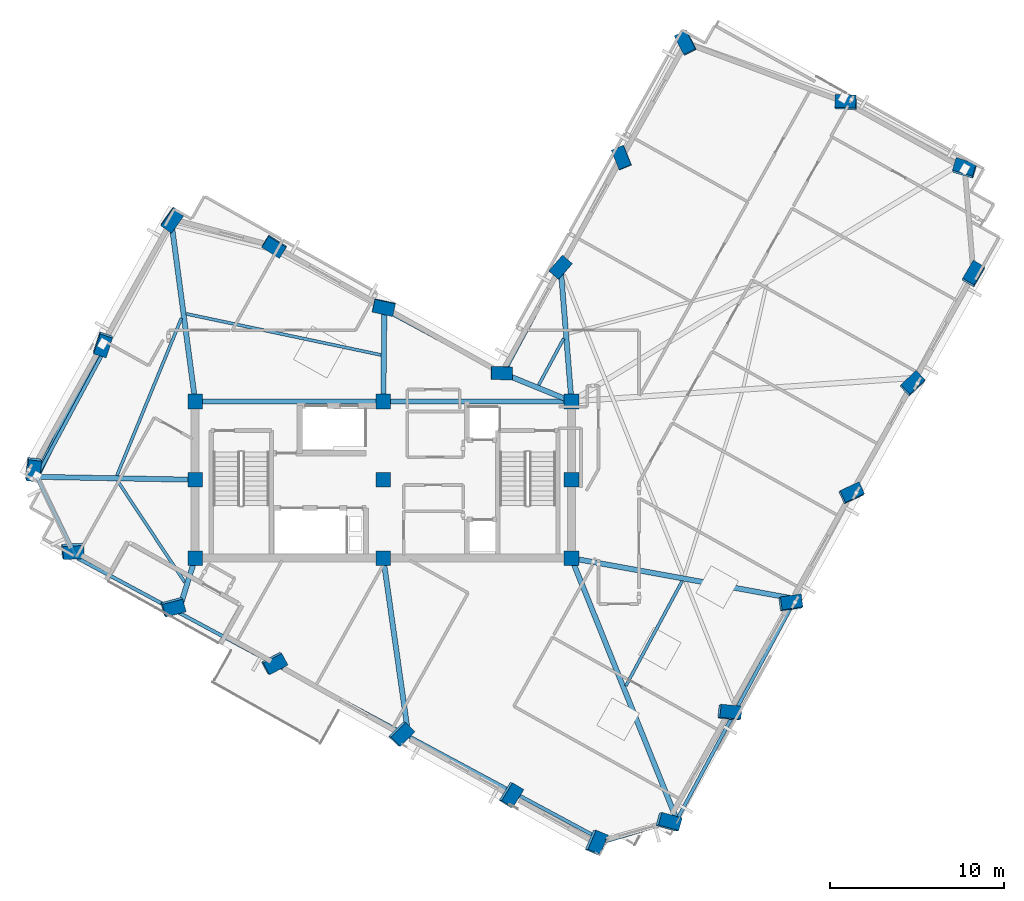
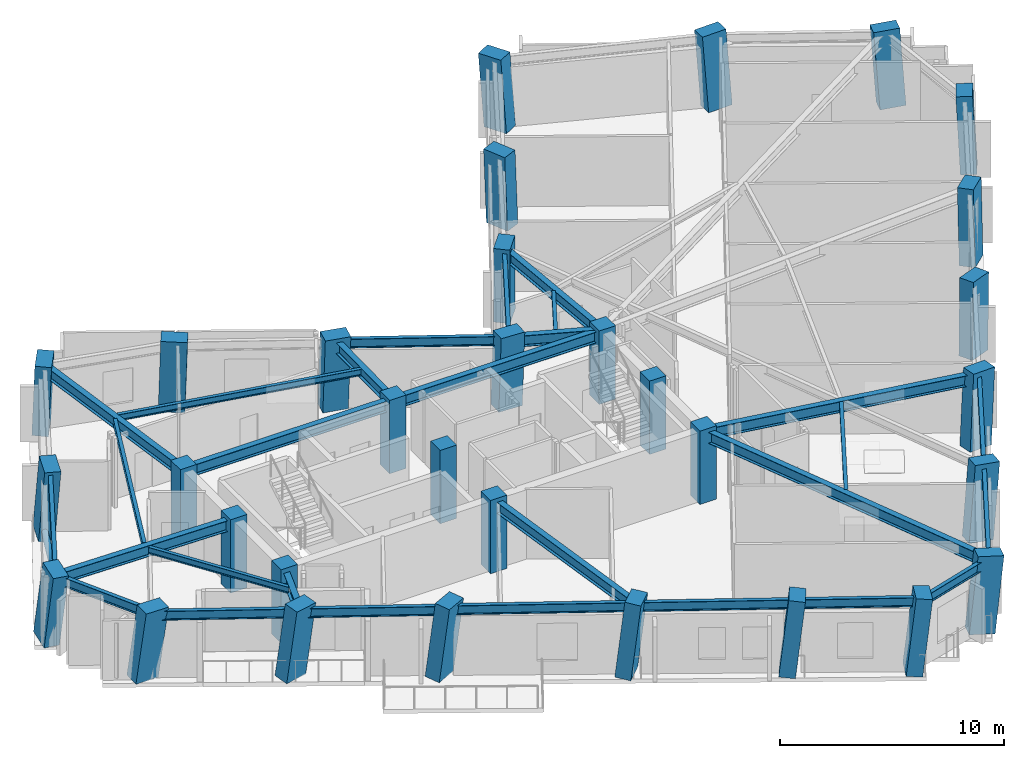
# One storey, part 1 of 11: 32 columns, 28 beams, 1 member.
"""IFC4 building model written with IfcOpenShell, lengths in metres."""

from ifc_helpers import new_model, si_unit, direction, frame, origin, origin_2d, place, context, subcontext, project, spatial, rectangle, hollow_circle, i_section, extrude, material, material_profile, profile_set, type_object, element, save


model = new_model("IFC4")

# Units and contexts
model_context = context("Model", 3, precision=1e-05, world=origin(), true_north=direction((0.0, 1.0)))
body_context = subcontext(model_context, "Body", "Model", "MODEL_VIEW")
ifc_project = project(units=[si_unit("LENGTHUNIT", "METRE"), si_unit("AREAUNIT", "SQUARE_METRE"), si_unit("VOLUMEUNIT", "CUBIC_METRE"), si_unit("PLANEANGLEUNIT", "RADIAN"), si_unit("MASSUNIT", "GRAM", prefix="KILO")], contexts=[model_context])

# Site, building, storey
site_placement = place(None, origin())
site = spatial("IfcSite", under=ifc_project, at=site_placement, CompositionType="ELEMENT")
building_placement = place(site_placement, origin())
building = spatial("IfcBuilding", under=site, at=building_placement, Name="Gaonmaruhae Medical Tower", CompositionType="ELEMENT")
storey_placement = place(building_placement, frame((0.0, 0.0, 284.60009765625)))
storey = spatial("IfcBuildingStorey", under=building, at=storey_placement, Name="L68", CompositionType="ELEMENT", Elevation=284.60009765625)

# Columns
ifc_material_1 = material(Name="Concrete C50/60", Category="concrete")
ifc_material_profile_1 = material_profile(ifc_material_1, rectangle(XDim=0.85009765625, YDim=0.85009765625, at=origin_2d()), Name="RC-850x850")
ifc_profile_set_1 = profile_set([ifc_material_profile_1], Name="Concrete C50/60")
column_type_1 = type_object("IfcColumnType", Name="CC-06 Upper Core Column (RC-850x850)", PredefinedType="COLUMN", material=ifc_profile_set_1)
for number, where, z_axis, x_axis, name in (
    (1, (14.0, 7.800048828125, 0.0), (0.0, 0.0, 1.0), (1.0, 0.0, 0.0), "L68 Plumb Core Column CC11"),
    (2, (14.0, 12.300048828125, 0.0), (0.0, 0.0, 1.0), (1.0, 0.0, 0.0), "L68 Plumb Core Column CC12"),
    (3, (14.0, 16.800048828125, 0.0), (0.0, 0.0, 1.0), (1.0, 0.0, 0.0), "L68 Plumb Core Column CC13"),
    (4, (24.800048828125, 7.800048828125, 0.0), (0.0, 0.0, 1.0), (1.0, 0.0, 0.0), "L68 Plumb Core Column CC21"),
    (5, (24.800048828125, 12.300048828125, 0.0), (0.0, 0.0, 1.0), (1.0, 0.0, 0.0), "L68 Plumb Core Column CC22"),
    (6, (24.800048828125, 16.800048828125, 0.0), (0.0, 0.0, 1.0), (1.0, 0.0, 0.0), "L68 Plumb Core Column CC23"),
    (7, (35.60009765625, 7.800048828125, 0.0), (0.0, 0.0, 1.0), (1.0, 0.0, 0.0), "L68 Plumb Core Column CC31"),
    (8, (35.60009765625, 12.300048828125, 0.0), (0.0, 0.0, 1.0), (1.0, 0.0, 0.0), "L68 Plumb Core Column CC32"),
    (9, (35.60009765625, 16.800048828125, 0.0), (0.0, 0.0, 1.0), (1.0, 0.0, 0.0), "L68 Plumb Core Column CC33"),
):
    element("IfcColumn", number, at=place(storey_placement, frame(where, z_axis=z_axis, x_axis=x_axis)), inside=storey, type_object=column_type_1, Name=name, PredefinedType="COLUMN", context=body_context, shape_type="SweptSolid", body=[
        extrude(rectangle(XDim=0.85009765625, YDim=0.85009765625, at=origin_2d()), origin(), (0.0, 0.0, 1.0), 4.0),
    ])
ifc_material_profile_2 = material_profile(ifc_material_1, rectangle(XDim=1.199951171875, YDim=0.75, at=origin_2d()), Name="RC-1200x750")
ifc_profile_set_2 = profile_set([ifc_material_profile_2], Name="Concrete C50/60")
column_type_2 = type_object("IfcColumnType", Name="TC-03 Upper Raking Tube Pier Column (RC-1200x750)", PredefinedType="COLUMN", material=ifc_profile_set_2)
column_1_placement = place(storey_placement, frame((41.118896484375, -7.35400390625, 0.001708984375), z_axis=(0.131826613979, 0.031957967025, 0.990757504231), x_axis=(-0.955448295385, 0.270366813491, 0.118407520913)))
element("IfcColumn", 10, at=column_1_placement, inside=storey, type_object=column_type_2, Name="L68 Perimeter Tube Column S01", PredefinedType="COLUMN", context=body_context, shape_type="SweptSolid", body=[
    extrude(rectangle(XDim=1.199951171875, YDim=0.75, at=origin_2d()), origin(), (0.0, 0.0, 1.0), 4.03369140625),
])
column_2_placement = place(storey_placement, frame((44.631591796875, -1.069091796875, 0.001708984375), z_axis=(0.10612963119, 0.046298975757, 0.993273832449), x_axis=(-0.98979318972, 0.100465569271, 0.101074779123)))
element("IfcColumn", 11, at=column_2_placement, inside=storey, type_object=column_type_2, Name="L68 Perimeter Tube Column S02", PredefinedType="COLUMN", context=body_context, shape_type="SweptSolid", body=[
    extrude(rectangle(XDim=1.199951171875, YDim=0.75, at=origin_2d()), origin(), (0.0, 0.0, 1.0), 4.0234375),
])
column_3_placement = place(storey_placement, frame((48.14404296875, 5.216064453125, 0.001708984375), z_axis=(0.080291682271, 0.06065942385, 0.994923956921), x_axis=(-0.987044357458, -0.134265602345, 0.087841814854)))
element("IfcColumn", 12, at=column_3_placement, inside=storey, type_object=column_type_2, Name="L68 Perimeter Tube Column S03", PredefinedType="COLUMN", context=body_context, shape_type="SweptSolid", body=[
    extrude(rectangle(XDim=1.199951171875, YDim=0.75, at=origin_2d()), origin(), (0.0, 0.0, 1.0), 4.016845703125),
])
column_4_placement = place(storey_placement, frame((51.656494140625, 11.5009765625, 0.001708984375), z_axis=(0.054319910646, 0.075001623546, 0.995702819004), x_axis=(-0.904946050869, -0.417777300156, 0.080837939674)))
element("IfcColumn", 13, at=column_4_placement, inside=storey, type_object=column_type_2, Name="L68 Perimeter Tube Column S04", PredefinedType="COLUMN", context=body_context, shape_type="SweptSolid", body=[
    extrude(rectangle(XDim=1.199951171875, YDim=0.75, at=origin_2d()), origin(), (0.0, 0.0, 1.0), 4.013671875),
])
column_5_placement = place(storey_placement, frame((55.169189453125, 17.7861328125, 0.001708984375), z_axis=(0.028221863199, 0.089227313173, 0.995611376503), x_axis=(-0.727236418404, -0.681508376608, 0.081691641922)))
element("IfcColumn", 14, at=column_5_placement, inside=storey, type_object=column_type_2, Name="L68 Perimeter Tube Column S05", PredefinedType="COLUMN", context=body_context, shape_type="SweptSolid", body=[
    extrude(rectangle(XDim=1.199951171875, YDim=0.75, at=origin_2d()), origin(), (0.0, 0.0, 1.0), 4.013916015625),
])
column_6_placement = place(storey_placement, frame((58.681640625, 24.0712890625, 0.001708984375), z_axis=(0.002187480979, 0.103419239641, 0.994635448694), x_axis=(-0.506111094693, -0.857728388357, 0.09029712972)))
element("IfcColumn", 15, at=column_6_placement, inside=storey, type_object=column_type_2, Name="L68 Perimeter Tube Column S06", PredefinedType="COLUMN", context=body_context, shape_type="SweptSolid", body=[
    extrude(rectangle(XDim=1.199951171875, YDim=0.75, at=origin_2d()), origin(), (0.0, 0.0, 1.0), 4.017822265625),
])
column_7_placement = place(storey_placement, frame((58.177490234375, 30.13818359375, 0.001708984375), z_axis=(-0.022846369794, 0.101168100287, 0.994606987142), x_axis=(0.958366046335, -0.281023652811, 0.050598693589)))
element("IfcColumn", 16, at=column_7_placement, inside=storey, type_object=column_type_2, Name="L68 Perimeter Tube Column E01", PredefinedType="COLUMN", context=body_context, shape_type="SweptSolid", body=[
    extrude(rectangle(XDim=1.199951171875, YDim=0.75, at=origin_2d()), origin(), (0.0, 0.0, 1.0), 4.01806640625),
])
column_8_placement = place(storey_placement, frame((51.36865234375, 33.943359375, 0.001708984375), z_axis=(-0.038416755408, 0.073119688185, 0.996582994087), x_axis=(0.998889809046, -0.02440051973, 0.040295955385)))
element("IfcColumn", 17, at=column_8_placement, inside=storey, type_object=column_type_2, Name="L68 Perimeter Tube Column E02", PredefinedType="COLUMN", context=body_context, shape_type="SweptSolid", body=[
    extrude(rectangle(XDim=1.199951171875, YDim=0.75, at=origin_2d()), origin(), (0.0, 0.0, 1.0), 4.010009765625),
])
column_9_placement = place(storey_placement, frame((42.16943359375, 37.3662109375, 0.001708984375), z_axis=(-0.052251426885, 0.034996871683, 0.998020544559), x_axis=(0.452347748556, -0.890150457988, 0.054896962759)))
element("IfcColumn", 18, at=column_9_placement, inside=storey, type_object=column_type_2, Name="L68 Perimeter Tube Column E03", PredefinedType="COLUMN", context=body_context, shape_type="SweptSolid", body=[
    extrude(rectangle(XDim=1.199951171875, YDim=0.75, at=origin_2d()), origin(), (0.0, 0.0, 1.0), 4.004150390625),
])
column_10_placement = place(storey_placement, frame((38.486083984375, 30.775634765625, 0.001708984375), z_axis=(-0.024912426705, 0.020027637155, 0.999489001813), x_axis=(0.374314738542, -0.926881827121, 0.027902599586)))
element("IfcColumn", 19, at=column_10_placement, inside=storey, type_object=column_type_2, Name="L68 Perimeter Tube Column EN01", PredefinedType="COLUMN", context=body_context, shape_type="SweptSolid", body=[
    extrude(rectangle(XDim=1.199951171875, YDim=0.75, at=origin_2d()), origin(), (0.0, 0.0, 1.0), 3.998291015625),
])
column_11_placement = place(storey_placement, frame((34.9736328125, 24.490478515625, 0.001708984375), z_axis=(0.001221800679, 0.00574246319, 0.999982765511), x_axis=(-0.658837051571, -0.752268219843, 0.005124928444)))
element("IfcColumn", 20, at=column_11_placement, inside=storey, type_object=column_type_2, Name="L68 Perimeter Tube Column EN02", PredefinedType="COLUMN", context=body_context, shape_type="SweptSolid", body=[
    extrude(rectangle(XDim=1.199951171875, YDim=0.75, at=origin_2d()), origin(), (0.0, 0.0, 1.0), 3.996337890625),
])
column_12_placement = place(storey_placement, frame((31.5830078125, 18.423828125, 0.001708984375), z_axis=(0.026503330104, -0.008183055839, 0.999615231522), x_axis=(-0.999365222964, 0.023596653309, 0.026689868551)))
element("IfcColumn", 21, at=column_12_placement, inside=storey, type_object=column_type_2, Name="L68 Perimeter Tube Column KN01", PredefinedType="COLUMN", context=body_context, shape_type="SweptSolid", body=[
    extrude(rectangle(XDim=1.199951171875, YDim=0.75, at=origin_2d()), origin(), (0.0, 0.0, 1.0), 3.997802734375),
])
column_13_placement = place(storey_placement, frame((24.81787109375, 22.20458984375, 0.001708984375), z_axis=(0.011049538905, -0.036262022705, 0.999281228383), x_axis=(-0.97711668251, 0.211898481127, 0.018493849186)))
element("IfcColumn", 22, at=column_13_placement, inside=storey, type_object=column_type_2, Name="L68 Perimeter Tube Column NE01", PredefinedType="COLUMN", context=body_context, shape_type="SweptSolid", body=[
    extrude(rectangle(XDim=1.199951171875, YDim=0.75, at=origin_2d()), origin(), (0.0, 0.0, 1.0), 3.999267578125),
])
column_14_placement = place(storey_placement, frame((18.53271484375, 25.717041015625, 0.001708984375), z_axis=(-0.003292489755, -0.062313417207, 0.998051199863), x_axis=(-0.84601485866, 0.532289495015, 0.030442608683)))
element("IfcColumn", 23, at=column_14_placement, inside=storey, type_object=column_type_2, Name="L68 Perimeter Tube Column NE02", PredefinedType="COLUMN", context=body_context, shape_type="SweptSolid", body=[
    extrude(rectangle(XDim=1.199951171875, YDim=0.75, at=origin_2d()), origin(), (0.0, 0.0, 1.0), 4.004150390625),
])
column_15_placement = place(storey_placement, frame((12.6943359375, 27.26171875, 0.001708984375), z_axis=(-0.009433268873, -0.086420914834, 0.996214052761), x_axis=(0.579341518792, 0.811544574449, 0.075886812336)))
element("IfcColumn", 24, at=column_15_placement, inside=storey, type_object=column_type_2, Name="L68 Perimeter Tube Column N01", PredefinedType="COLUMN", context=body_context, shape_type="SweptSolid", body=[
    extrude(rectangle(XDim=1.199951171875, YDim=0.75, at=origin_2d()), origin(), (0.0, 0.0, 1.0), 4.011474609375),
])
column_16_placement = place(storey_placement, frame((8.694091796875, 20.103759765625, 0.001708984375), z_axis=(0.020171272546, -0.102496797545, 0.994528796092), x_axis=(0.311043208592, 0.946011043433, 0.091187872504)))
element("IfcColumn", 25, at=column_16_placement, inside=storey, type_object=column_type_2, Name="L68 Perimeter Tube Column N02", PredefinedType="COLUMN", context=body_context, shape_type="SweptSolid", body=[
    extrude(rectangle(XDim=1.199951171875, YDim=0.75, at=origin_2d()), origin(), (0.0, 0.0, 1.0), 4.018310546875),
])
column_17_placement = place(storey_placement, frame((4.693603515625, 12.94580078125, 0.001708984375), z_axis=(0.049679766232, -0.118443832908, 0.991717187142), x_axis=(0.115046064664, 0.987012557907, 0.112118747491)))
element("IfcColumn", 26, at=column_17_placement, inside=storey, type_object=column_type_2, Name="L68 Perimeter Tube Column N03", PredefinedType="COLUMN", context=body_context, shape_type="SweptSolid", body=[
    extrude(rectangle(XDim=1.199951171875, YDim=0.75, at=origin_2d()), origin(), (0.0, 0.0, 1.0), 4.02978515625),
])
column_18_placement = place(storey_placement, frame((6.93994140625, 8.253662109375, 0.001708984375), z_axis=(0.068940682783, -0.109045016704, 0.991643265791), x_axis=(-0.996356169591, -0.057559371767, 0.062938875424)))
element("IfcColumn", 27, at=column_18_placement, inside=storey, type_object=column_type_2, Name="L68 Perimeter Tube Column W01", PredefinedType="COLUMN", context=body_context, shape_type="SweptSolid", body=[
    extrude(rectangle(XDim=1.199951171875, YDim=0.75, at=origin_2d()), origin(), (0.0, 0.0, 1.0), 4.030029296875),
])
column_19_placement = place(storey_placement, frame((12.701171875, 5.03369140625, 0.001708984375), z_axis=(0.082074734998, -0.085350445042, 0.99296477249), x_axis=(-0.964981086135, -0.255879690431, 0.057767529177)))
element("IfcColumn", 28, at=column_19_placement, inside=storey, type_object=column_type_2, Name="L68 Perimeter Tube Column W02", PredefinedType="COLUMN", context=body_context, shape_type="SweptSolid", body=[
    extrude(rectangle(XDim=1.199951171875, YDim=0.75, at=origin_2d()), origin(), (0.0, 0.0, 1.0), 4.024658203125),
])
column_20_placement = place(storey_placement, frame((18.50634765625, 1.78955078125, 0.001708984375), z_axis=(0.095234780656, -0.061365432278, 0.993561583534), x_axis=(-0.88027518793, -0.471233151093, 0.055271247731)))
element("IfcColumn", 29, at=column_20_placement, inside=storey, type_object=column_type_2, Name="L68 Perimeter Tube Column W03", PredefinedType="COLUMN", context=body_context, shape_type="SweptSolid", body=[
    extrude(rectangle(XDim=1.199951171875, YDim=0.75, at=origin_2d()), origin(), (0.0, 0.0, 1.0), 4.022216796875),
])
column_21_placement = place(storey_placement, frame((25.795166015625, -2.2841796875, 0.001708984375), z_axis=(0.111769597483, -0.031188693326, 0.993244593485), x_axis=(-0.701354130219, -0.710561451873, 0.056611016043)))
element("IfcColumn", 30, at=column_21_placement, inside=storey, type_object=column_type_2, Name="L68 Perimeter Tube Column W04", PredefinedType="COLUMN", context=body_context, shape_type="SweptSolid", body=[
    extrude(rectangle(XDim=1.199951171875, YDim=0.75, at=origin_2d()), origin(), (0.0, 0.0, 1.0), 4.0234375),
])
column_22_placement = place(storey_placement, frame((32.080322265625, -5.796630859375, 0.001708984375), z_axis=(0.125815563172, -0.005212012733, 0.992039958362), x_axis=(-0.519692057585, -0.85214209727, 0.061432982539)))
element("IfcColumn", 31, at=column_22_placement, inside=storey, type_object=column_type_2, Name="L68 Perimeter Tube Column W05", PredefinedType="COLUMN", context=body_context, shape_type="SweptSolid", body=[
    extrude(rectangle(XDim=1.199951171875, YDim=0.75, at=origin_2d()), origin(), (0.0, 0.0, 1.0), 4.0283203125),
])
column_23_placement = place(storey_placement, frame((36.968505859375, -8.528564453125, 0.001708984375), z_axis=(0.136753180508, 0.014946033445, 0.990492394572), x_axis=(-0.385522203335, -0.920254525169, 0.067113632308)))
element("IfcColumn", 32, at=column_23_placement, inside=storey, type_object=column_type_2, Name="L68 Perimeter Tube Column W06", PredefinedType="COLUMN", context=body_context, shape_type="SweptSolid", body=[
    extrude(rectangle(XDim=1.199951171875, YDim=0.75, at=origin_2d()), origin(), (0.0, 0.0, 1.0), 4.03466796875),
])

# Beams
ifc_material_2 = material(Name="Steel SM355", Category="steel")
ifc_material_profile_3 = material_profile(ifc_material_2, i_section(OverallWidth=0.175048828125, OverallDepth=0.35009765625, WebThickness=0.007080078125, FlangeThickness=0.010986328125, FilletRadius=0.012939453125, at=origin_2d()), Name="H-350x175x7x11")
ifc_profile_set_3 = profile_set([ifc_material_profile_3], Name="Steel SM355")
beam_type_1 = type_object("IfcBeamType", Name="FJ-02 Upper Zone Ward Floor Joist (H-350x175x7x11)", PredefinedType="JOIST", material=ifc_profile_set_3)
beam_1_placement = place(storey_placement, frame((38.720703125, 0.46484375, 3.60498046875), z_axis=(0.47332428816, 0.88088825525, 0.0), x_axis=(-0.88088825525, 0.47332428816, 0.0)))
element("IfcBeam", 33, at=beam_1_placement, inside=storey, type_object=beam_type_1, Name="L68 Secondary Floor Joist FJ01", PredefinedType="JOIST", context=body_context, shape_type="SweptSolid", body=[
    extrude(i_section(OverallWidth=0.175048828125, OverallDepth=0.35009765625, WebThickness=0.007080078125, FlangeThickness=0.010986328125, FilletRadius=0.012939453125, at=origin_2d()), origin(), (0.0, 0.0, 1.0), 6.8349609375),
])
beam_2_placement = place(storey_placement, frame((35.155517578125, 20.40771484375, 3.60498046875), z_axis=(-0.473337025543, -0.880881411003, 0.0), x_axis=(0.880881411003, -0.473337025543, 0.0)))
element("IfcBeam", 34, at=beam_2_placement, inside=storey, type_object=beam_type_1, Name="L68 Secondary Floor Joist FJ05", PredefinedType="JOIST", context=body_context, shape_type="SweptSolid", body=[
    extrude(i_section(OverallWidth=0.175048828125, OverallDepth=0.35009765625, WebThickness=0.007080078125, FlangeThickness=0.010986328125, FilletRadius=0.012939453125, at=origin_2d()), origin(), (0.0, 0.0, 1.0), 3.035400390625),
])
beam_3_placement = place(storey_placement, frame((24.675537109375, 19.46240234375, 3.60498046875), z_axis=(-0.978444977049, 0.206507692081, 0.0), x_axis=(-0.206507692081, -0.978444977049, 0.0)))
element("IfcBeam", 35, at=beam_3_placement, inside=storey, type_object=beam_type_1, Name="L68 Secondary Floor Joist FJ07", PredefinedType="JOIST", context=body_context, shape_type="SweptSolid", body=[
    extrude(i_section(OverallWidth=0.175048828125, OverallDepth=0.35009765625, WebThickness=0.007080078125, FlangeThickness=0.010986328125, FilletRadius=0.012939453125, at=origin_2d()), origin(), (0.0, 0.0, 1.0), 11.43212890625),
])
beam_4_placement = place(storey_placement, frame((13.211669921875, 21.572998046875, 3.60498046875), z_axis=(-0.379116716347, -0.92534886145, 0.0), x_axis=(0.92534886145, -0.379116716347, 0.0)))
element("IfcBeam", 36, at=beam_4_placement, inside=storey, type_object=beam_type_1, Name="L68 Secondary Floor Joist FJ08", PredefinedType="JOIST", context=body_context, shape_type="SweptSolid", body=[
    extrude(i_section(OverallWidth=0.175048828125, OverallDepth=0.35009765625, WebThickness=0.007080078125, FlangeThickness=0.010986328125, FilletRadius=0.012939453125, at=origin_2d()), origin(), (0.0, 0.0, 1.0), 9.76318359375),
])
beam_5_placement = place(storey_placement, frame((9.551025390625, 12.227294921875, 3.5849609375), z_axis=(0.552461505772, -0.833538412217, 0.0), x_axis=(0.833538412217, 0.552461505772, 0.0)))
element("IfcBeam", 37, at=beam_5_placement, inside=storey, type_object=beam_type_1, Name="L68 Secondary Floor Joist FJ09", PredefinedType="JOIST", context=body_context, shape_type="SweptSolid", body=[
    extrude(i_section(OverallWidth=0.175048828125, OverallDepth=0.35009765625, WebThickness=0.007080078125, FlangeThickness=0.010986328125, FilletRadius=0.012939453125, at=origin_2d()), origin(), (0.0, 0.0, 1.0), 6.977294921875),
])

# Member
ifc_material_profile_4 = material_profile(ifc_material_2, hollow_circle(Radius=0.1591796875, WallThickness=0.01025390625, at=origin_2d()), Name="CHS-318.5x10.3")
ifc_profile_set_4 = profile_set([ifc_material_profile_4], Name="Steel SM355")
member_type = type_object("IfcMemberType", Name="PB-03 Perimeter Solid-Bay Tube Brace Upper (CHS-318.5x10.3)", PredefinedType="BRACE", material=ifc_profile_set_4)
member_placement = place(storey_placement, frame((8.69384765625, 20.10400390625, 0.25), z_axis=(-0.415831961806, -0.83561812114, 0.358923578444), x_axis=(0.895272883219, -0.445518197801, 0.0)))
element("IfcMember", 38, at=member_placement, inside=storey, type_object=member_type, Name="L68 Perimeter Tube Solid-Bay Brace N02-N03", PredefinedType="BRACE", context=body_context, shape_type="SweptSolid", body=[
    extrude(hollow_circle(Radius=0.1591796875, WallThickness=0.01025390625, at=origin_2d()), origin(), (0.0, 0.0, 1.0), 9.137939453125),
])

# Beams
ifc_material_3 = material(Name="Steel SM420", Category="steel")
ifc_material_profile_5 = material_profile(ifc_material_3, i_section(OverallWidth=0.300048828125, OverallDepth=0.60009765625, WebThickness=0.011962890625, FlangeThickness=0.02001953125, FilletRadius=0.012939453125, at=origin_2d()), Name="H-600x300x12x20")
ifc_profile_set_5 = profile_set([ifc_material_profile_5], Name="Steel SM420")
beam_type_2 = type_object("IfcBeamType", Name="PG-04 Zone 4 Radial Floor Girder (H-600x300x12x20)", PredefinedType="BEAM", material=ifc_profile_set_5)
for number, where, z_axis, x_axis, name in (
    (39, (14.050048828125, 16.800048828125, 3.47998046875), (1.0, 0.0, 0.0), (0.0, 1.0, 0.0), "L68 Beam BM-L68-CG-N1"),
    (40, (24.85009765625, 16.800048828125, 3.47998046875), (1.0, 0.0, 0.0), (0.0, 1.0, 0.0), "L68 Beam BM-L68-CG-N2"),
):
    element("IfcBeam", number, at=place(storey_placement, frame(where, z_axis=z_axis, x_axis=x_axis)), inside=storey, type_object=beam_type_2, Name=name, PredefinedType="BEAM", context=body_context, shape_type="SweptSolid", body=[
        extrude(i_section(OverallWidth=0.300048828125, OverallDepth=0.60009765625, WebThickness=0.011962890625, FlangeThickness=0.02001953125, FilletRadius=0.012939453125, at=origin_2d()), origin(), (0.0, 0.0, 1.0), 10.699951171875),
    ])
beam_6_placement = place(storey_placement, frame((35.61865234375, 7.753662109375, 3.47998046875), z_axis=(0.373557377302, -0.927607075147, 0.0), x_axis=(0.927607075147, 0.373557377302, 0.0)))
element("IfcBeam", 41, at=beam_6_placement, inside=storey, type_object=beam_type_2, Name="L68 Radial Primary Girder S01", PredefinedType="BEAM", context=body_context, shape_type="SweptSolid", body=[
    extrude(i_section(OverallWidth=0.300048828125, OverallDepth=0.60009765625, WebThickness=0.011962890625, FlangeThickness=0.02001953125, FilletRadius=0.012939453125, at=origin_2d()), origin(), (0.0, 0.0, 1.0), 16.09765625),
])
beam_7_placement = place(storey_placement, frame((35.649169921875, 7.791015625, 3.47998046875), z_axis=(0.983859674649, -0.178941724034, 0.0), x_axis=(0.178941724034, 0.983859674649, 0.0)))
element("IfcBeam", 42, at=beam_7_placement, inside=storey, type_object=beam_type_2, Name="L68 Radial Primary Girder S03", PredefinedType="BEAM", context=body_context, shape_type="SweptSolid", body=[
    extrude(i_section(OverallWidth=0.300048828125, OverallDepth=0.60009765625, WebThickness=0.011962890625, FlangeThickness=0.02001953125, FilletRadius=0.012939453125, at=origin_2d()), origin(), (0.0, 0.0, 1.0), 12.977783203125),
])
beam_8_placement = place(storey_placement, frame((35.595947265625, 16.849853515625, 3.47998046875), z_axis=(-0.080288922683, 0.996771633271, 0.0), x_axis=(-0.996771633271, -0.080288922683, 0.0)))
element("IfcBeam", 43, at=beam_8_placement, inside=storey, type_object=beam_type_2, Name="L68 Radial Primary Girder EN02", PredefinedType="BEAM", context=body_context, shape_type="SweptSolid", body=[
    extrude(i_section(OverallWidth=0.300048828125, OverallDepth=0.60009765625, WebThickness=0.011962890625, FlangeThickness=0.02001953125, FilletRadius=0.012939453125, at=origin_2d()), origin(), (0.0, 0.0, 1.0), 7.638427734375),
])
beam_9_placement = place(storey_placement, frame((35.5537109375, 16.81884765625, 3.47998046875), z_axis=(-0.926275429359, 0.376847222315, 0.0), x_axis=(-0.376847222315, -0.926275429359, 0.0)))
element("IfcBeam", 44, at=beam_9_placement, inside=storey, type_object=beam_type_2, Name="L68 Radial Primary Girder KN01", PredefinedType="BEAM", context=body_context, shape_type="SweptSolid", body=[
    extrude(i_section(OverallWidth=0.300048828125, OverallDepth=0.60009765625, WebThickness=0.011962890625, FlangeThickness=0.02001953125, FilletRadius=0.012939453125, at=origin_2d()), origin(), (0.0, 0.0, 1.0), 4.122314453125),
])
beam_10_placement = place(storey_placement, frame((24.800537109375, 16.85009765625, 3.47998046875), z_axis=(0.01182901191, 0.999930034791, 0.0), x_axis=(-0.999930034791, 0.01182901191, 0.0)))
element("IfcBeam", 45, at=beam_10_placement, inside=storey, type_object=beam_type_2, Name="L68 Radial Primary Girder NE01", PredefinedType="BEAM", context=body_context, shape_type="SweptSolid", body=[
    extrude(i_section(OverallWidth=0.300048828125, OverallDepth=0.60009765625, WebThickness=0.011962890625, FlangeThickness=0.02001953125, FilletRadius=0.012939453125, at=origin_2d()), origin(), (0.0, 0.0, 1.0), 5.15966796875),
])
beam_11_placement = place(storey_placement, frame((13.993408203125, 16.849609375, 3.47998046875), z_axis=(-0.131668293874, 0.991293831509, 0.0), x_axis=(-0.991293831509, -0.131668293874, 0.0)))
element("IfcBeam", 46, at=beam_11_placement, inside=storey, type_object=beam_type_2, Name="L68 Radial Primary Girder N01", PredefinedType="BEAM", context=body_context, shape_type="SweptSolid", body=[
    extrude(i_section(OverallWidth=0.300048828125, OverallDepth=0.60009765625, WebThickness=0.011962890625, FlangeThickness=0.02001953125, FilletRadius=0.012939453125, at=origin_2d()), origin(), (0.0, 0.0, 1.0), 10.103515625),
])
beam_12_placement = place(storey_placement, frame((13.949951171875, 12.301025390625, 3.47998046875), z_axis=(-0.999829633965, 0.018458143047, 0.0), x_axis=(-0.018458143047, -0.999829633965, 0.0)))
element("IfcBeam", 47, at=beam_12_placement, inside=storey, type_object=beam_type_2, Name="L68 Radial Primary Girder N03", PredefinedType="BEAM", context=body_context, shape_type="SweptSolid", body=[
    extrude(i_section(OverallWidth=0.300048828125, OverallDepth=0.60009765625, WebThickness=0.011962890625, FlangeThickness=0.02001953125, FilletRadius=0.012939453125, at=origin_2d()), origin(), (0.0, 0.0, 1.0), 9.00732421875),
])
beam_13_placement = place(storey_placement, frame((13.985107421875, 7.752197265625, 3.4599609375), z_axis=(-0.297257696337, -0.954797288417, 0.0), x_axis=(0.954797288417, -0.297257696337, 0.0)))
element("IfcBeam", 48, at=beam_13_placement, inside=storey, type_object=beam_type_2, Name="L68 Radial Primary Girder W02", PredefinedType="BEAM", context=body_context, shape_type="SweptSolid", body=[
    extrude(i_section(OverallWidth=0.300048828125, OverallDepth=0.60009765625, WebThickness=0.011962890625, FlangeThickness=0.02001953125, FilletRadius=0.012939453125, at=origin_2d()), origin(), (0.0, 0.0, 1.0), 3.1572265625),
])
beam_14_placement = place(storey_placement, frame((24.80712890625, 7.75048828125, 3.47998046875), z_axis=(0.140129206726, -0.990133226098, 0.0), x_axis=(0.990133226098, 0.140129206726, 0.0)))
element("IfcBeam", 49, at=beam_14_placement, inside=storey, type_object=beam_type_2, Name="L68 Radial Primary Girder W04", PredefinedType="BEAM", context=body_context, shape_type="SweptSolid", body=[
    extrude(i_section(OverallWidth=0.300048828125, OverallDepth=0.60009765625, WebThickness=0.011962890625, FlangeThickness=0.02001953125, FilletRadius=0.012939453125, at=origin_2d()), origin(), (0.0, 0.0, 1.0), 10.21142578125),
])
ifc_material_profile_6 = material_profile(ifc_material_2, i_section(OverallWidth=0.199951171875, OverallDepth=0.5, WebThickness=0.010009765625, FlangeThickness=0.01611328125, FilletRadius=0.012939453125, at=origin_2d()), Name="H-500x200x10x16")
ifc_profile_set_6 = profile_set([ifc_material_profile_6], Name="Steel SM355")
beam_type_3 = type_object("IfcBeamType", Name="SP-02 Upper Perimeter Spandrel Beam (H-500x200x10x16)", PredefinedType="SPANDREL", material=ifc_profile_set_6)
for number, where, z_axis, x_axis, name in (
    (50, (41.669677734375, -7.18994140625, 3.52978515625), (0.473326720032, 0.880886948538, 0.0), (-0.880886948538, 0.473326720032, 0.0), "L68 Perimeter Spandrel Beam S01-S02"),
    (51, (45.07763671875, -0.847412109375, 3.52978515625), (0.473326720032, 0.880886948538, 0.0), (-0.880886948538, 0.473326720032, 0.0), "L68 Perimeter Spandrel Beam S02-S03"),
):
    element("IfcBeam", number, at=place(storey_placement, frame(where, z_axis=z_axis, x_axis=x_axis)), inside=storey, type_object=beam_type_3, Name=name, PredefinedType="SPANDREL", context=body_context, shape_type="SweptSolid", body=[
        extrude(i_section(OverallWidth=0.199951171875, OverallDepth=0.5, WebThickness=0.010009765625, FlangeThickness=0.01611328125, FilletRadius=0.012939453125, at=origin_2d()), origin(), (0.0, 0.0, 1.0), 7.1201171875),
    ])
beam_15_placement = place(storey_placement, frame((34.959716796875, 24.47802734375, 3.52978515625), z_axis=(-0.473332475716, -0.880883855813, 0.0), x_axis=(0.880883855813, -0.473332475716, 0.0)))
element("IfcBeam", 52, at=beam_15_placement, inside=storey, type_object=beam_type_3, Name="L68 Perimeter Spandrel Beam EN02-KN01", PredefinedType="SPANDREL", context=body_context, shape_type="SweptSolid", body=[
    extrude(i_section(OverallWidth=0.199951171875, OverallDepth=0.5, WebThickness=0.010009765625, FlangeThickness=0.01611328125, FilletRadius=0.012939453125, at=origin_2d()), origin(), (0.0, 0.0, 1.0), 6.869873046875),
])
beam_16_placement = place(storey_placement, frame((31.65380859375, 18.41015625, 3.52978515625), z_axis=(-0.880894904038, 0.473311914112, 0.0), x_axis=(-0.473311914112, -0.880894904038, 0.0)))
element("IfcBeam", 53, at=beam_16_placement, inside=storey, type_object=beam_type_3, Name="L68 Perimeter Spandrel Beam KN01-NE01", PredefinedType="SPANDREL", context=body_context, shape_type="SweptSolid", body=[
    extrude(i_section(OverallWidth=0.199951171875, OverallDepth=0.5, WebThickness=0.010009765625, FlangeThickness=0.01611328125, FilletRadius=0.012939453125, at=origin_2d()), origin(), (0.0, 0.0, 1.0), 7.670166015625),
])
beam_17_placement = place(storey_placement, frame((8.75634765625, 19.65625, 3.52978515625), z_axis=(-0.473334056033, -0.880883006647, 0.0), x_axis=(0.880883006647, -0.473334056033, 0.0)))
element("IfcBeam", 54, at=beam_17_placement, inside=storey, type_object=beam_type_3, Name="L68 Perimeter Spandrel Beam N02-N03", PredefinedType="SPANDREL", context=body_context, shape_type="SweptSolid", body=[
    extrude(i_section(OverallWidth=0.199951171875, OverallDepth=0.5, WebThickness=0.010009765625, FlangeThickness=0.01611328125, FilletRadius=0.012939453125, at=origin_2d()), origin(), (0.0, 0.0, 1.0), 8.1201171875),
])
beam_18_placement = place(storey_placement, frame((4.911865234375, 12.4326171875, 3.52978515625), z_axis=(0.446698759741, -0.894684423719, 0.0), x_axis=(0.894684423719, 0.446698759741, 0.0)))
element("IfcBeam", 55, at=beam_18_placement, inside=storey, type_object=beam_type_3, Name="L68 Perimeter Spandrel Beam N03-W01", PredefinedType="SPANDREL", context=body_context, shape_type="SweptSolid", body=[
    extrude(i_section(OverallWidth=0.199951171875, OverallDepth=0.5, WebThickness=0.010009765625, FlangeThickness=0.01611328125, FilletRadius=0.012939453125, at=origin_2d()), origin(), (0.0, 0.0, 1.0), 5.122314453125),
])
beam_19_placement = place(storey_placement, frame((7.253173828125, 7.795166015625, 3.510009765625), z_axis=(0.880881971243, -0.473335982932, 0.0), x_axis=(0.473335982932, 0.880881971243, 0.0)))
element("IfcBeam", 56, at=beam_19_placement, inside=storey, type_object=beam_type_3, Name="L68 Perimeter Spandrel Beam W01-W02", PredefinedType="SPANDREL", context=body_context, shape_type="SweptSolid", body=[
    extrude(i_section(OverallWidth=0.199951171875, OverallDepth=0.5, WebThickness=0.010009765625, FlangeThickness=0.01611328125, FilletRadius=0.012939453125, at=origin_2d()), origin(), (0.0, 0.0, 1.0), 6.52001953125),
])
beam_20_placement = place(storey_placement, frame((13.06689453125, 4.671142578125, 3.510009765625), z_axis=(0.880901479108, -0.47329967685, 0.0), x_axis=(0.47329967685, 0.880901479108, 0.0)))
element("IfcBeam", 57, at=beam_20_placement, inside=storey, type_object=beam_type_3, Name="L68 Perimeter Spandrel Beam W02-W03", PredefinedType="SPANDREL", context=body_context, shape_type="SweptSolid", body=[
    extrude(i_section(OverallWidth=0.199951171875, OverallDepth=0.5, WebThickness=0.010009765625, FlangeThickness=0.01611328125, FilletRadius=0.012939453125, at=origin_2d()), origin(), (0.0, 0.0, 1.0), 6.570068359375),
])
beam_21_placement = place(storey_placement, frame((18.9248046875, 1.523681640625, 3.52978515625), z_axis=(0.880885942398, -0.473328592507, 0.0), x_axis=(0.473328592507, 0.880885942398, 0.0)))
element("IfcBeam", 58, at=beam_21_placement, inside=storey, type_object=beam_type_3, Name="L68 Perimeter Spandrel Beam W03-W04", PredefinedType="SPANDREL", context=body_context, shape_type="SweptSolid", body=[
    extrude(i_section(OverallWidth=0.199951171875, OverallDepth=0.5, WebThickness=0.010009765625, FlangeThickness=0.01611328125, FilletRadius=0.012939453125, at=origin_2d()), origin(), (0.0, 0.0, 1.0), 8.270263671875),
])
beam_22_placement = place(storey_placement, frame((26.2802734375, -2.4287109375, 3.52978515625), z_axis=(0.880901245116, -0.473300112353, 0.0), x_axis=(0.473300112353, 0.880901245116, 0.0)))
element("IfcBeam", 59, at=beam_22_placement, inside=storey, type_object=beam_type_3, Name="L68 Perimeter Spandrel Beam W04-W05", PredefinedType="SPANDREL", context=body_context, shape_type="SweptSolid", body=[
    extrude(i_section(OverallWidth=0.199951171875, OverallDepth=0.5, WebThickness=0.010009765625, FlangeThickness=0.01611328125, FilletRadius=0.012939453125, at=origin_2d()), origin(), (0.0, 0.0, 1.0), 7.119873046875),
])
beam_23_placement = place(storey_placement, frame((32.622802734375, -5.83642578125, 3.52978515625), z_axis=(0.880886868142, -0.473326869652, 0.0), x_axis=(0.473326869652, 0.880886868142, 0.0)))
element("IfcBeam", 60, at=beam_23_placement, inside=storey, type_object=beam_type_3, Name="L68 Perimeter Spandrel Beam W05-W06", PredefinedType="SPANDREL", context=body_context, shape_type="SweptSolid", body=[
    extrude(i_section(OverallWidth=0.199951171875, OverallDepth=0.5, WebThickness=0.010009765625, FlangeThickness=0.01611328125, FilletRadius=0.012939453125, at=origin_2d()), origin(), (0.0, 0.0, 1.0), 5.52001953125),
])
beam_24_placement = place(storey_placement, frame((37.558837890625, -8.45654296875, 3.52978515625), z_axis=(0.957575129396, 0.288183746181, 0.0), x_axis=(-0.288183746181, 0.957575129396, 0.0)))
element("IfcBeam", 61, at=beam_24_placement, inside=storey, type_object=beam_type_3, Name="L68 Perimeter Spandrel Beam W06-S01", PredefinedType="SPANDREL", context=body_context, shape_type="SweptSolid", body=[
    extrude(i_section(OverallWidth=0.199951171875, OverallDepth=0.5, WebThickness=0.010009765625, FlangeThickness=0.01611328125, FilletRadius=0.012939453125, at=origin_2d()), origin(), (0.0, 0.0, 1.0), 4.2333984375),
])

save(model, "model.ifc")
